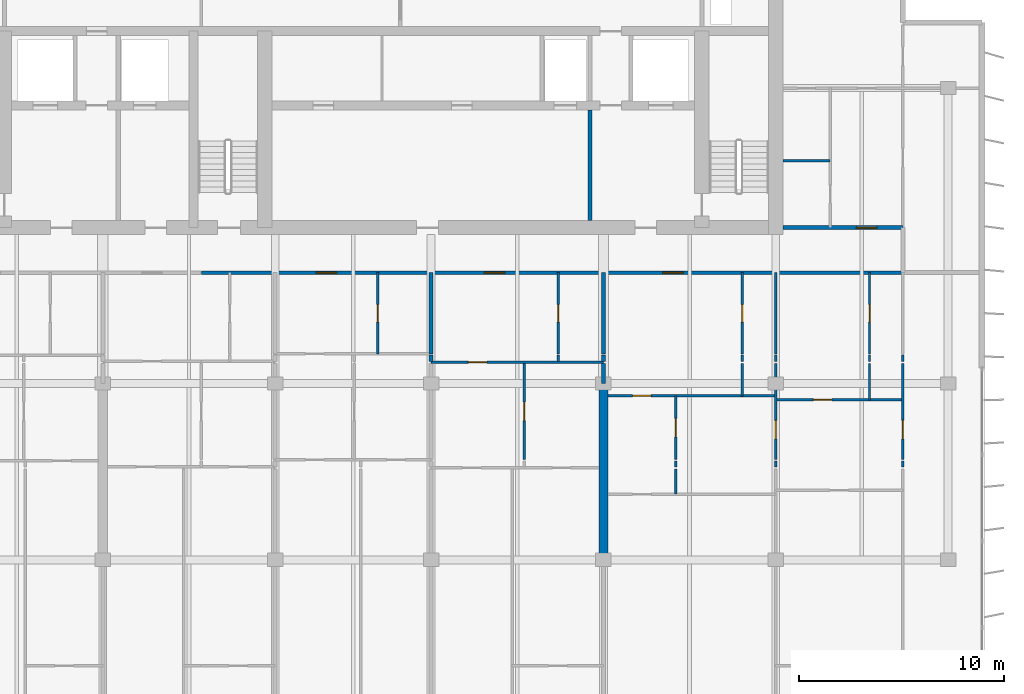
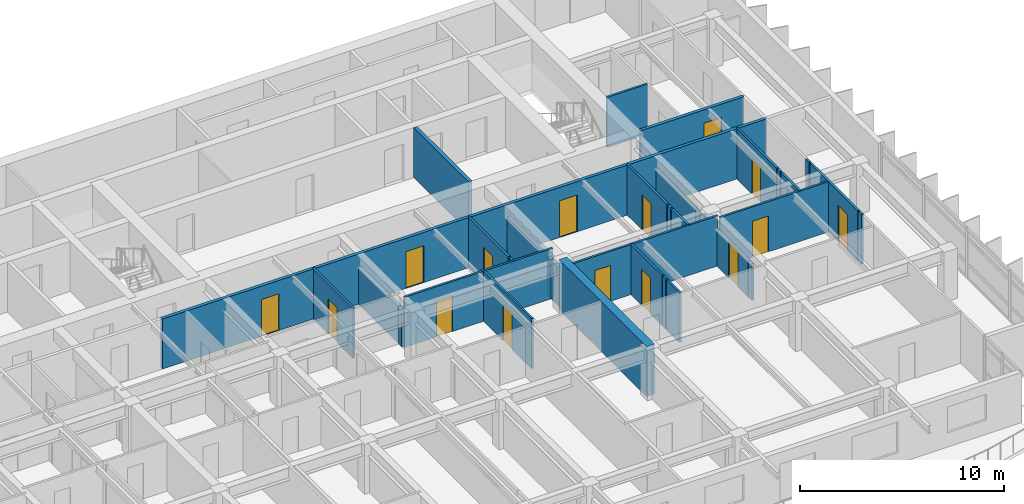
# One storey, part 9 of 16: 33 walls, 15 doors, 15 openings.
"""IFC4 building model written with IfcOpenShell, lengths in metres."""

from ifc_helpers import new_model, si_unit, direction, frame, frame_2d, origin, place, context, subcontext, project, spatial, rectangle, extrude, material, layer, layer_set, type_object, element, fill, save


model = new_model("IFC4")

# Units and contexts
model_context = context("Model", 3, precision=1e-05, world=origin(), true_north=direction((0.0, 1.0)))
body_context = subcontext(model_context, "Body", "Model", "MODEL_VIEW")
ifc_project = project(units=[si_unit("LENGTHUNIT", "METRE"), si_unit("AREAUNIT", "SQUARE_METRE"), si_unit("VOLUMEUNIT", "CUBIC_METRE"), si_unit("PLANEANGLEUNIT", "RADIAN"), si_unit("MASSUNIT", "GRAM", prefix="KILO")], contexts=[model_context])

# Site, building, storey
site_placement = place(None, origin())
site = spatial("IfcSite", under=ifc_project, at=site_placement, CompositionType="ELEMENT")
building_placement = place(site_placement, origin())
building = spatial("IfcBuilding", under=site, at=building_placement, Name="Caelmar Bay Residences", CompositionType="ELEMENT")
storey_placement = place(building_placement, frame((0.0, 0.0, 266.10009765625)))
storey = spatial("IfcBuildingStorey", under=building, at=storey_placement, Name="L75", CompositionType="ELEMENT", Elevation=266.10009765625)

# Wall
ifc_material_1 = material(Name="Concrete f'c 55 MPa (8,000 psi)", Category="concrete")
ifc_layer_1 = layer(ifc_material_1, 0.449951171875)
ifc_layer_set_1 = layer_set([ifc_layer_1], Name="Concrete f'c 55 MPa (8,000 psi)")
wall_type_1 = type_object("IfcWallType", Name="SW-XSLB-450", PredefinedType="SHEAR", material=ifc_layer_set_1)
wall_1_placement = place(storey_placement, frame((51.10009765625, 20.800048828125, 0.0), z_axis=(0.0, 0.0, 1.0), x_axis=(0.0, 1.0, 0.0)))
element("IfcWall", 1, at=wall_1_placement, inside=storey, type_object=wall_type_1, Name="L75 Transverse Cross-Slab Shear Wall E8", PredefinedType="SHEAR", context=body_context, shape_type="SweptSolid", body=[
    extrude(rectangle(XDim=8.599853515625, YDim=0.449951171875, at=frame_2d((4.2998046875, 0.0))), origin(), (0.0, 0.0, 1.0), 3.0),
])

# Wall, openings, doors
ifc_material_2 = material(Name="Double-stud acoustic fire-rated gypsum partition 180 mm")
ifc_layer_2 = layer(ifc_material_2, 0.179931640625)
ifc_layer_set_2 = layer_set([ifc_layer_2], Name="Double-stud acoustic fire-rated gypsum partition 180 mm")
wall_type_2 = type_object("IfcWallType", Name="W-COR-200", PredefinedType="PARTITIONING", material=ifc_layer_set_2)
wall_2_placement = place(storey_placement, frame((31.5, 34.800048828125, 0.0), z_axis=(0.0, 0.0, 1.0), x_axis=(1.0, 0.0, 0.0)))
wall_2 = element("IfcWall", 2, at=wall_2_placement, inside=storey, type_object=wall_type_2, Name="L75 Partition Wall H130", PredefinedType="PARTITIONING", context=body_context, shape_type="SweptSolid", body=[
    extrude(rectangle(XDim=34.199951171875, YDim=0.179931640625, at=frame_2d((17.10009765625, 0.0))), origin(), (0.0, 0.0, 1.0), 3.0),
])
opening_1_placement = place(wall_2_placement, frame((5.599609375, 0.0, 0.0)))
opening_1 = element("IfcOpeningElement", 3, at=opening_1_placement, cuts=wall_2, Name="Opening D-L75-142", PredefinedType="OPENING", context=body_context, shape_type="SweptSolid", body=[
    extrude(rectangle(XDim=1.0, YDim=2.199951171875, at=frame_2d((0.5, 1.10009765625))), frame((0.0, 0.099853515625, 0.0), z_axis=(0.0, -1.0, 0.0), x_axis=(1.0, 0.0, 0.0)), (0.0, 0.0, 1.0), 0.199951171875),
])
opening_2_placement = place(wall_2_placement, frame((13.799072265625, 0.0, 0.0)))
opening_2 = element("IfcOpeningElement", 4, at=opening_2_placement, cuts=wall_2, Name="Opening D-L75-148", PredefinedType="OPENING", context=body_context, shape_type="SweptSolid", body=[
    extrude(rectangle(XDim=1.0, YDim=2.199951171875, at=frame_2d((0.5, 1.10009765625))), frame((0.0, 0.099853515625, 0.0), z_axis=(0.0, -1.0, 0.0), x_axis=(1.0, 0.0, 0.0)), (0.0, 0.0, 1.0), 0.199951171875),
])
opening_3_placement = place(wall_2_placement, frame((22.4833984375, 0.0, 0.0)))
opening_3 = element("IfcOpeningElement", 5, at=opening_3_placement, cuts=wall_2, Name="Opening D-L75-155", PredefinedType="OPENING", context=body_context, shape_type="SweptSolid", body=[
    extrude(rectangle(XDim=1.0, YDim=2.199951171875, at=frame_2d((0.5, 1.10009765625))), frame((0.0, 0.099853515625, 0.0), z_axis=(0.0, -1.0, 0.0), x_axis=(1.0, 0.0, 0.0)), (0.0, 0.0, 1.0), 0.199951171875),
])
ifc_material_3 = material(Name="Fire-rated steel and walnut architectural door assembly", Category="steel")
ifc_layer_3 = layer(ifc_material_3, 0.050048828125)
ifc_layer_set_3 = layer_set([ifc_layer_3], Name="Fire-rated steel and walnut architectural door assembly")
door_type_1 = type_object("IfcDoorType", Name="D-UNIT-1000", OperationType="NOTDEFINED", PredefinedType="DOOR", material=ifc_layer_set_3)
door_1_placement = place(opening_1_placement, origin())
door_1 = element("IfcDoor", 6, at=door_1_placement, inside=storey, type_object=door_type_1, Name="L75 Residence 04 Apartment Hall Door", OperationType="SINGLE_SWING_RIGHT", OverallHeight=2.199951171875, OverallWidth=1.0, PredefinedType="DOOR", context=body_context, shape_type="SweptSolid", body=[
    extrude(rectangle(XDim=1.0, YDim=2.199951171875, at=frame_2d((0.5, 1.10009765625))), frame((0.0, 0.02490234375, 0.0), z_axis=(0.0, -1.0, 0.0), x_axis=(1.0, 0.0, 0.0)), (0.0, 0.0, 1.0), 0.050048828125),
])
fill(opening_1, door_1)
door_2_placement = place(opening_2_placement, origin())
door_2 = element("IfcDoor", 7, at=door_2_placement, inside=storey, type_object=door_type_1, Name="L75 Residence 05 Apartment Hall Door", OperationType="SINGLE_SWING_RIGHT", OverallHeight=2.199951171875, OverallWidth=1.0, PredefinedType="DOOR", context=body_context, shape_type="SweptSolid", body=[
    extrude(rectangle(XDim=1.0, YDim=2.199951171875, at=frame_2d((0.5, 1.10009765625))), frame((0.0, 0.02490234375, 0.0), z_axis=(0.0, -1.0, 0.0), x_axis=(1.0, 0.0, 0.0)), (0.0, 0.0, 1.0), 0.050048828125),
])
fill(opening_2, door_2)
door_3_placement = place(opening_3_placement, origin())
door_3 = element("IfcDoor", 8, at=door_3_placement, inside=storey, type_object=door_type_1, Name="L75 Residence 06 Apartment Hall Door", OperationType="SINGLE_SWING_LEFT", OverallHeight=2.199951171875, OverallWidth=1.0, PredefinedType="DOOR", context=body_context, shape_type="SweptSolid", body=[
    extrude(rectangle(XDim=1.0, YDim=2.199951171875, at=frame_2d((0.5, 1.10009765625))), frame((0.0, 0.02490234375, 0.0), z_axis=(0.0, -1.0, 0.0), x_axis=(1.0, 0.0, 0.0)), (0.0, 0.0, 1.0), 0.050048828125),
])
fill(opening_3, door_3)

# Wall, opening, door
wall_3_placement = place(storey_placement, frame((59.85498046875, 37.0, 0.0), z_axis=(0.0, 0.0, 1.0), x_axis=(1.0, 0.0, 0.0)))
wall_3 = element("IfcWall", 9, at=wall_3_placement, inside=storey, type_object=wall_type_2, Name="L75 Partition Wall H134", PredefinedType="PARTITIONING", context=body_context, shape_type="SweptSolid", body=[
    extrude(rectangle(XDim=5.844970703125, YDim=0.179931640625, at=frame_2d((2.92236328125, 0.0))), origin(), (0.0, 0.0, 1.0), 3.0),
])
opening_4_placement = place(wall_3_placement, frame((3.570068359375, 0.0, 0.0)))
opening_4 = element("IfcOpeningElement", 10, at=opening_4_placement, cuts=wall_3, Name="Opening D-L75-173", PredefinedType="OPENING", context=body_context, shape_type="SweptSolid", body=[
    extrude(rectangle(XDim=1.0, YDim=2.199951171875, at=frame_2d((0.5, 1.10009765625))), frame((0.0, 0.099853515625, 0.0), z_axis=(0.0, -1.0, 0.0), x_axis=(1.0, 0.0, 0.0)), (0.0, 0.0, 1.0), 0.199951171875),
])
door_4_placement = place(opening_4_placement, origin())
door_4 = element("IfcDoor", 11, at=door_4_placement, inside=storey, type_object=door_type_1, Name="L75 Residence EA Kitchen Door", OperationType="SINGLE_SWING_LEFT", OverallHeight=2.199951171875, OverallWidth=1.0, PredefinedType="DOOR", context=body_context, shape_type="SweptSolid", body=[
    extrude(rectangle(XDim=1.0, YDim=2.199951171875, at=frame_2d((0.5, 1.10009765625))), frame((0.0, 0.02490234375, 0.0), z_axis=(0.0, -1.0, 0.0), x_axis=(1.0, 0.0, 0.0)), (0.0, 0.0, 1.0), 0.050048828125),
])
fill(opening_4, door_4)

# Wall
ifc_material_4 = material(Name="Fire-rated masonry and gypsum shaftliner assembly 200 mm", Category="masonry")
ifc_layer_4 = layer(ifc_material_4, 0.199951171875)
ifc_layer_set_4 = layer_set([ifc_layer_4], Name="Fire-rated masonry and gypsum shaftliner assembly 200 mm")
wall_type_3 = type_object("IfcWallType", Name="W-FSAE-200", PredefinedType="PARTITIONING", material=ifc_layer_set_4)
wall_4_placement = place(storey_placement, frame((50.449951171875, 37.344970703125, 0.0), z_axis=(0.0, 0.0, 1.0), x_axis=(0.0, 1.0, 0.0)))
element("IfcWall", 12, at=wall_4_placement, inside=storey, type_object=wall_type_3, Name="L75 Partition Wall V071", PredefinedType="PARTITIONING", context=body_context, shape_type="SweptSolid", body=[
    extrude(rectangle(XDim=5.385009765625, YDim=0.199951171875, at=frame_2d((2.6923828125, 0.0))), origin(), (0.0, 0.0, 1.0), 3.0),
])

# Wall, opening, door
ifc_material_5 = material(Name="Acoustic metal-stud gypsum partition 120 mm")
ifc_layer_5 = layer(ifc_material_5, 0.1201171875)
ifc_layer_set_5 = layer_set([ifc_layer_5], Name="Acoustic metal-stud gypsum partition 120 mm")
wall_type_4 = type_object("IfcWallType", Name="W-PRT-120", PredefinedType="PARTITIONING", material=ifc_layer_set_5)
wall_5_placement = place(storey_placement, frame((40.09912109375, 30.840087890625, 0.0), z_axis=(0.0, 0.0, 1.0), x_axis=(0.0, 1.0, 0.0)))
wall_5 = element("IfcWall", 13, at=wall_5_placement, inside=storey, type_object=wall_type_4, Name="L75 Partition Wall V054", PredefinedType="PARTITIONING", context=body_context, shape_type="SweptSolid", body=[
    extrude(rectangle(XDim=3.9599609375, YDim=0.1201171875, at=frame_2d((1.97998046875, 0.0))), origin(), (0.0, 0.0, 1.0), 3.0),
])
opening_5_placement = place(wall_5_placement, frame((1.554931640625, 0.0, 0.0)))
opening_5 = element("IfcOpeningElement", 14, at=opening_5_placement, cuts=wall_5, Name="Opening D-L75-143", PredefinedType="OPENING", context=body_context, shape_type="SweptSolid", body=[
    extrude(rectangle(XDim=0.85009765625, YDim=2.10009765625, at=frame_2d((0.425048828125, 1.050048828125))), frame((0.0, 0.070068359375, 0.0), z_axis=(0.0, -1.0, 0.0), x_axis=(1.0, 0.0, 0.0)), (0.0, 0.0, 1.0), 0.14013671875),
])
ifc_material_6 = material(Name="Solid walnut timber interior door leaf and frame", Category="wood")
ifc_layer_6 = layer(ifc_material_6, 0.050048828125)
ifc_layer_set_6 = layer_set([ifc_layer_6], Name="Solid walnut timber interior door leaf and frame")
door_type_2 = type_object("IfcDoorType", Name="D-BATH-850", OperationType="NOTDEFINED", PredefinedType="DOOR", material=ifc_layer_set_6)
door_5_placement = place(opening_5_placement, origin())
door_5 = element("IfcDoor", 15, at=door_5_placement, inside=storey, type_object=door_type_2, Name="L75 Residence 04 Bathroom Door", OperationType="SINGLE_SWING_LEFT", OverallHeight=2.10009765625, OverallWidth=0.85009765625, PredefinedType="DOOR", context=body_context, shape_type="SweptSolid", body=[
    extrude(rectangle(XDim=0.85009765625, YDim=2.10009765625, at=frame_2d((0.425048828125, 1.050048828125))), frame((0.0, 0.02490234375, 0.0), z_axis=(0.0, -1.0, 0.0), x_axis=(1.0, 0.0, 0.0)), (0.0, 0.0, 1.0), 0.050048828125),
])
fill(opening_5, door_5)

wall_6_placement = place(storey_placement, frame((47.236083984375, 25.68994140625, 0.0), z_axis=(0.0, 0.0, 1.0), x_axis=(0.0, 1.0, 0.0)))
wall_6 = element("IfcWall", 16, at=wall_6_placement, inside=storey, type_object=wall_type_4, Name="L75 Partition Wall V067", PredefinedType="PARTITIONING", context=body_context, shape_type="SweptSolid", body=[
    extrude(rectangle(XDim=4.68994140625, YDim=0.1201171875, at=frame_2d((2.344970703125, 0.0))), origin(), (0.0, 0.0, 1.0), 3.0),
])
opening_6_placement = place(wall_6_placement, frame((1.89501953125, 0.0, 0.0)))
opening_6 = element("IfcOpeningElement", 17, at=opening_6_placement, cuts=wall_6, Name="Opening D-L75-151", PredefinedType="OPENING", context=body_context, shape_type="SweptSolid", body=[
    extrude(rectangle(XDim=0.89990234375, YDim=2.14990234375, at=frame_2d((0.449951171875, 1.074951171875))), frame((0.0, 0.070068359375, 0.0), z_axis=(0.0, -1.0, 0.0), x_axis=(1.0, 0.0, 0.0)), (0.0, 0.0, 1.0), 0.14013671875),
])
ifc_layer_7 = layer(ifc_material_6, 0.050048828125)
ifc_layer_set_7 = layer_set([ifc_layer_7], Name="Solid walnut timber interior door leaf and frame")
door_type_3 = type_object("IfcDoorType", Name="D-ROOM-900", OperationType="NOTDEFINED", PredefinedType="DOOR", material=ifc_layer_set_7)
door_6_placement = place(opening_6_placement, origin())
door_6 = element("IfcDoor", 18, at=door_6_placement, inside=storey, type_object=door_type_3, Name="L75 Residence 05 Private Reception Salon Door", OperationType="SINGLE_SWING_LEFT", OverallHeight=2.14990234375, OverallWidth=0.89990234375, PredefinedType="DOOR", context=body_context, shape_type="SweptSolid", body=[
    extrude(rectangle(XDim=0.89990234375, YDim=2.14990234375, at=frame_2d((0.449951171875, 1.074951171875))), frame((0.0, 0.02490234375, 0.0), z_axis=(0.0, -1.0, 0.0), x_axis=(1.0, 0.0, 0.0)), (0.0, 0.0, 1.0), 0.050048828125),
])
fill(opening_6, door_6)

# Wall
wall_7_placement = place(storey_placement, frame((48.89794921875, 30.47998046875, 0.0), z_axis=(0.0, 0.0, 1.0), x_axis=(0.0, 1.0, 0.0)))
element("IfcWall", 19, at=wall_7_placement, inside=storey, type_object=wall_type_4, Name="L75 Partition Wall V069", PredefinedType="PARTITIONING", context=body_context, shape_type="SweptSolid", body=[
    extrude(rectangle(XDim=0.300048828125, YDim=0.1201171875, at=frame_2d((0.14990234375, 0.0))), origin(), (0.0, 0.0, 1.0), 3.0),
])

# Wall, opening, door
wall_8_placement = place(storey_placement, frame((48.89794921875, 30.840087890625, 0.0), z_axis=(0.0, 0.0, 1.0), x_axis=(0.0, 1.0, 0.0)))
wall_8 = element("IfcWall", 20, at=wall_8_placement, inside=storey, type_object=wall_type_4, Name="L75 Partition Wall V070", PredefinedType="PARTITIONING", context=body_context, shape_type="SweptSolid", body=[
    extrude(rectangle(XDim=3.9599609375, YDim=0.1201171875, at=frame_2d((1.97998046875, 0.0))), origin(), (0.0, 0.0, 1.0), 3.0),
])
opening_7_placement = place(wall_8_placement, frame((1.554931640625, 0.0, 0.0)))
opening_7 = element("IfcOpeningElement", 21, at=opening_7_placement, cuts=wall_8, Name="Opening D-L75-149", PredefinedType="OPENING", context=body_context, shape_type="SweptSolid", body=[
    extrude(rectangle(XDim=0.85009765625, YDim=2.10009765625, at=frame_2d((0.425048828125, 1.050048828125))), frame((0.0, 0.070068359375, 0.0), z_axis=(0.0, -1.0, 0.0), x_axis=(1.0, 0.0, 0.0)), (0.0, 0.0, 1.0), 0.14013671875),
])
door_7_placement = place(opening_7_placement, origin())
door_7 = element("IfcDoor", 22, at=door_7_placement, inside=storey, type_object=door_type_2, Name="L75 Residence 05 Bathroom Door", OperationType="SINGLE_SWING_LEFT", OverallHeight=2.10009765625, OverallWidth=0.85009765625, PredefinedType="DOOR", context=body_context, shape_type="SweptSolid", body=[
    extrude(rectangle(XDim=0.85009765625, YDim=2.10009765625, at=frame_2d((0.425048828125, 1.050048828125))), frame((0.0, 0.02490234375, 0.0), z_axis=(0.0, -1.0, 0.0), x_axis=(1.0, 0.0, 0.0)), (0.0, 0.0, 1.0), 0.050048828125),
])
fill(opening_7, door_7)

# Walls
wall_9_placement = place(storey_placement, frame((54.6279296875, 24.0, 0.0), z_axis=(0.0, 0.0, 1.0), x_axis=(0.0, 1.0, 0.0)))
element("IfcWall", 23, at=wall_9_placement, inside=storey, type_object=wall_type_4, Name="L75 Partition Wall V080", PredefinedType="PARTITIONING", context=body_context, shape_type="SweptSolid", body=[
    extrude(rectangle(XDim=1.22998046875, YDim=0.1201171875, at=frame_2d((0.614990234375, 0.0))), origin(), (0.0, 0.0, 1.0), 3.0),
])
wall_10_placement = place(storey_placement, frame((54.6279296875, 25.330078125, 0.0), z_axis=(0.0, 0.0, 1.0), x_axis=(0.0, 1.0, 0.0)))
element("IfcWall", 24, at=wall_10_placement, inside=storey, type_object=wall_type_4, Name="L75 Partition Wall V081", PredefinedType="PARTITIONING", context=body_context, shape_type="SweptSolid", body=[
    extrude(rectangle(XDim=0.2998046875, YDim=0.1201171875, at=frame_2d((0.14990234375, 0.0))), origin(), (0.0, 0.0, 1.0), 3.0),
])

# Wall, opening, door
wall_11_placement = place(storey_placement, frame((54.6279296875, 25.68994140625, 0.0), z_axis=(0.0, 0.0, 1.0), x_axis=(0.0, 1.0, 0.0)))
wall_11 = element("IfcWall", 25, at=wall_11_placement, inside=storey, type_object=wall_type_4, Name="L75 Partition Wall V082", PredefinedType="PARTITIONING", context=body_context, shape_type="SweptSolid", body=[
    extrude(rectangle(XDim=3.110107421875, YDim=0.1201171875, at=frame_2d((1.55517578125, 0.0))), origin(), (0.0, 0.0, 1.0), 3.0),
])
opening_8_placement = place(wall_11_placement, frame((1.10498046875, 0.0, 0.0)))
opening_8 = element("IfcOpeningElement", 26, at=opening_8_placement, cuts=wall_11, Name="Opening D-L75-158", PredefinedType="OPENING", context=body_context, shape_type="SweptSolid", body=[
    extrude(rectangle(XDim=0.89990234375, YDim=2.14990234375, at=frame_2d((0.449951171875, 1.074951171875))), frame((0.0, 0.070068359375, 0.0), z_axis=(0.0, -1.0, 0.0), x_axis=(1.0, 0.0, 0.0)), (0.0, 0.0, 1.0), 0.14013671875),
])
door_8_placement = place(opening_8_placement, origin())
door_8 = element("IfcDoor", 27, at=door_8_placement, inside=storey, type_object=door_type_3, Name="L75 Residence 06 Kitchen Door", OperationType="SINGLE_SWING_RIGHT", OverallHeight=2.14990234375, OverallWidth=0.89990234375, PredefinedType="DOOR", context=body_context, shape_type="SweptSolid", body=[
    extrude(rectangle(XDim=0.89990234375, YDim=2.14990234375, at=frame_2d((0.449951171875, 1.074951171875))), frame((0.0, 0.02490234375, 0.0), z_axis=(0.0, -1.0, 0.0), x_axis=(1.0, 0.0, 0.0)), (0.0, 0.0, 1.0), 0.050048828125),
])
fill(opening_8, door_8)

# Walls
wall_12_placement = place(storey_placement, frame((57.866943359375, 28.800048828125, 0.0), z_axis=(0.0, 0.0, 1.0), x_axis=(0.0, 1.0, 0.0)))
element("IfcWall", 28, at=wall_12_placement, inside=storey, type_object=wall_type_4, Name="L75 Partition Wall V084", PredefinedType="PARTITIONING", context=body_context, shape_type="SweptSolid", body=[
    extrude(rectangle(XDim=1.579833984375, YDim=0.1201171875, at=frame_2d((0.7900390625, 0.0))), origin(), (0.0, 0.0, 1.0), 3.0),
])
wall_13_placement = place(storey_placement, frame((57.866943359375, 30.47998046875, 0.0), z_axis=(0.0, 0.0, 1.0), x_axis=(0.0, 1.0, 0.0)))
element("IfcWall", 29, at=wall_13_placement, inside=storey, type_object=wall_type_4, Name="L75 Partition Wall V085", PredefinedType="PARTITIONING", context=body_context, shape_type="SweptSolid", body=[
    extrude(rectangle(XDim=0.300048828125, YDim=0.1201171875, at=frame_2d((0.14990234375, 0.0))), origin(), (0.0, 0.0, 1.0), 3.0),
])

# Wall, opening, door
wall_14_placement = place(storey_placement, frame((57.866943359375, 30.840087890625, 0.0), z_axis=(0.0, 0.0, 1.0), x_axis=(0.0, 1.0, 0.0)))
wall_14 = element("IfcWall", 30, at=wall_14_placement, inside=storey, type_object=wall_type_4, Name="L75 Partition Wall V086", PredefinedType="PARTITIONING", context=body_context, shape_type="SweptSolid", body=[
    extrude(rectangle(XDim=3.9599609375, YDim=0.1201171875, at=frame_2d((1.97998046875, 0.0))), origin(), (0.0, 0.0, 1.0), 3.0),
])
opening_9_placement = place(wall_14_placement, frame((1.554931640625, 0.0, 0.0)))
opening_9 = element("IfcOpeningElement", 31, at=opening_9_placement, cuts=wall_14, Name="Opening D-L75-156", PredefinedType="OPENING", context=body_context, shape_type="SweptSolid", body=[
    extrude(rectangle(XDim=0.85009765625, YDim=2.10009765625, at=frame_2d((0.425048828125, 1.050048828125))), frame((0.0, 0.070068359375, 0.0), z_axis=(0.0, -1.0, 0.0), x_axis=(1.0, 0.0, 0.0)), (0.0, 0.0, 1.0), 0.14013671875),
])
door_9_placement = place(opening_9_placement, origin())
door_9 = element("IfcDoor", 32, at=door_9_placement, inside=storey, type_object=door_type_2, Name="L75 Residence 06 Guest Bathroom Door", OperationType="SINGLE_SWING_RIGHT", OverallHeight=2.10009765625, OverallWidth=0.85009765625, PredefinedType="DOOR", context=body_context, shape_type="SweptSolid", body=[
    extrude(rectangle(XDim=0.85009765625, YDim=2.10009765625, at=frame_2d((0.425048828125, 1.050048828125))), frame((0.0, 0.02490234375, 0.0), z_axis=(0.0, -1.0, 0.0), x_axis=(1.0, 0.0, 0.0)), (0.0, 0.0, 1.0), 0.050048828125),
])
fill(opening_9, door_9)

# Wall
wall_15_placement = place(storey_placement, frame((59.5, 25.330078125, 0.0), z_axis=(0.0, 0.0, 1.0), x_axis=(0.0, 1.0, 0.0)))
element("IfcWall", 33, at=wall_15_placement, inside=storey, type_object=wall_type_4, Name="L75 Partition Wall V089", PredefinedType="PARTITIONING", context=body_context, shape_type="SweptSolid", body=[
    extrude(rectangle(XDim=0.2998046875, YDim=0.1201171875, at=frame_2d((0.14990234375, 0.0))), origin(), (0.0, 0.0, 1.0), 2.212890625),
])

# Wall, opening, door
wall_16_placement = place(storey_placement, frame((59.5, 25.68994140625, 0.0), z_axis=(0.0, 0.0, 1.0), x_axis=(0.0, 1.0, 0.0)))
wall_16 = element("IfcWall", 34, at=wall_16_placement, inside=storey, type_object=wall_type_4, Name="L75 Partition Wall V090", PredefinedType="PARTITIONING", context=body_context, shape_type="SweptSolid", body=[
    extrude(rectangle(XDim=4.68994140625, YDim=0.1201171875, at=frame_2d((2.344970703125, 0.0))), origin(), (0.0, 0.0, 1.0), 2.212890625),
])
opening_10_placement = place(wall_16_placement, frame((1.0048828125, 0.0, 0.0)))
opening_10 = element("IfcOpeningElement", 35, at=opening_10_placement, cuts=wall_16, Name="Opening D-L75-160", PredefinedType="OPENING", context=body_context, shape_type="SweptSolid", body=[
    extrude(rectangle(XDim=0.89990234375, YDim=2.14990234375, at=frame_2d((0.449951171875, 1.074951171875))), frame((0.0, 0.070068359375, 0.0), z_axis=(0.0, -1.0, 0.0), x_axis=(1.0, 0.0, 0.0)), (0.0, 0.0, 1.0), 0.14013671875),
])
door_10_placement = place(opening_10_placement, origin())
door_10 = element("IfcDoor", 36, at=door_10_placement, inside=storey, type_object=door_type_3, Name="L75 Residence 06 Reception Lounge 1 Door", OperationType="SINGLE_SWING_RIGHT", OverallHeight=2.14990234375, OverallWidth=0.89990234375, PredefinedType="DOOR", context=body_context, shape_type="SweptSolid", body=[
    extrude(rectangle(XDim=0.89990234375, YDim=2.14990234375, at=frame_2d((0.449951171875, 1.074951171875))), frame((0.0, 0.02490234375, 0.0), z_axis=(0.0, -1.0, 0.0), x_axis=(1.0, 0.0, 0.0)), (0.0, 0.0, 1.0), 0.050048828125),
])
fill(opening_10, door_10)

# Walls
wall_17_placement = place(storey_placement, frame((59.5, 30.47998046875, 0.0), z_axis=(0.0, 0.0, 1.0), x_axis=(0.0, 1.0, 0.0)))
element("IfcWall", 37, at=wall_17_placement, inside=storey, type_object=wall_type_4, Name="L75 Partition Wall V091", PredefinedType="PARTITIONING", context=body_context, shape_type="SweptSolid", body=[
    extrude(rectangle(XDim=0.300048828125, YDim=0.1201171875, at=frame_2d((0.14990234375, 0.0))), origin(), (0.0, 0.0, 1.0), 2.212890625),
])
wall_18_placement = place(storey_placement, frame((59.5, 30.840087890625, 0.0), z_axis=(0.0, 0.0, 1.0), x_axis=(0.0, 1.0, 0.0)))
element("IfcWall", 38, at=wall_18_placement, inside=storey, type_object=wall_type_4, Name="L75 Partition Wall V092", PredefinedType="PARTITIONING", context=body_context, shape_type="SweptSolid", body=[
    extrude(rectangle(XDim=3.9599609375, YDim=0.1201171875, at=frame_2d((1.97998046875, 0.0))), origin(), (0.0, 0.0, 1.0), 2.212890625),
])
wall_19_placement = place(storey_placement, frame((64.071044921875, 28.60009765625, 0.0), z_axis=(0.0, 0.0, 1.0), x_axis=(0.0, 1.0, 0.0)))
element("IfcWall", 39, at=wall_19_placement, inside=storey, type_object=wall_type_4, Name="L75 Partition Wall V094", PredefinedType="PARTITIONING", context=body_context, shape_type="SweptSolid", body=[
    extrude(rectangle(XDim=1.77978515625, YDim=0.1201171875, at=frame_2d((0.889892578125, 0.0))), origin(), (0.0, 0.0, 1.0), 3.0),
])
wall_20_placement = place(storey_placement, frame((64.071044921875, 30.47998046875, 0.0), z_axis=(0.0, 0.0, 1.0), x_axis=(0.0, 1.0, 0.0)))
element("IfcWall", 40, at=wall_20_placement, inside=storey, type_object=wall_type_4, Name="L75 Partition Wall V095", PredefinedType="PARTITIONING", context=body_context, shape_type="SweptSolid", body=[
    extrude(rectangle(XDim=0.300048828125, YDim=0.1201171875, at=frame_2d((0.14990234375, 0.0))), origin(), (0.0, 0.0, 1.0), 3.0),
])

# Wall, opening, door
wall_21_placement = place(storey_placement, frame((64.071044921875, 30.840087890625, 0.0), z_axis=(0.0, 0.0, 1.0), x_axis=(0.0, 1.0, 0.0)))
wall_21 = element("IfcWall", 41, at=wall_21_placement, inside=storey, type_object=wall_type_4, Name="L75 Partition Wall V096", PredefinedType="PARTITIONING", context=body_context, shape_type="SweptSolid", body=[
    extrude(rectangle(XDim=3.9599609375, YDim=0.1201171875, at=frame_2d((1.97998046875, 0.0))), origin(), (0.0, 0.0, 1.0), 3.0),
])
opening_11_placement = place(wall_21_placement, frame((1.554931640625, 0.0, 0.0)))
opening_11 = element("IfcOpeningElement", 42, at=opening_11_placement, cuts=wall_21, Name="Opening D-L75-162", PredefinedType="OPENING", context=body_context, shape_type="SweptSolid", body=[
    extrude(rectangle(XDim=0.85009765625, YDim=2.10009765625, at=frame_2d((0.425048828125, 1.050048828125))), frame((0.0, 0.070068359375, 0.0), z_axis=(0.0, -1.0, 0.0), x_axis=(1.0, 0.0, 0.0)), (0.0, 0.0, 1.0), 0.14013671875),
])
door_11_placement = place(opening_11_placement, origin())
door_11 = element("IfcDoor", 43, at=door_11_placement, inside=storey, type_object=door_type_2, Name="L75 Residence 06 En-Suite Bathroom 1 Door", OperationType="SINGLE_SWING_RIGHT", OverallHeight=2.10009765625, OverallWidth=0.85009765625, PredefinedType="DOOR", context=body_context, shape_type="SweptSolid", body=[
    extrude(rectangle(XDim=0.85009765625, YDim=2.10009765625, at=frame_2d((0.425048828125, 1.050048828125))), frame((0.0, 0.02490234375, 0.0), z_axis=(0.0, -1.0, 0.0), x_axis=(1.0, 0.0, 0.0)), (0.0, 0.0, 1.0), 0.050048828125),
])
fill(opening_11, door_11)

# Wall
wall_22_placement = place(storey_placement, frame((65.699951171875, 25.330078125, 0.0), z_axis=(0.0, 0.0, 1.0), x_axis=(0.0, 1.0, 0.0)))
element("IfcWall", 44, at=wall_22_placement, inside=storey, type_object=wall_type_4, Name="L75 Partition Wall V098", PredefinedType="PARTITIONING", context=body_context, shape_type="SweptSolid", body=[
    extrude(rectangle(XDim=0.2998046875, YDim=0.1201171875, at=frame_2d((0.14990234375, 0.0))), origin(), (0.0, 0.0, 1.0), 3.0),
])

# Wall, opening, door
wall_23_placement = place(storey_placement, frame((65.699951171875, 25.68994140625, 0.0), z_axis=(0.0, 0.0, 1.0), x_axis=(0.0, 1.0, 0.0)))
wall_23 = element("IfcWall", 45, at=wall_23_placement, inside=storey, type_object=wall_type_4, Name="L75 Partition Wall V099", PredefinedType="PARTITIONING", context=body_context, shape_type="SweptSolid", body=[
    extrude(rectangle(XDim=4.68994140625, YDim=0.1201171875, at=frame_2d((2.344970703125, 0.0))), origin(), (0.0, 0.0, 1.0), 3.0),
])
opening_12_placement = place(wall_23_placement, frame((1.0048828125, 0.0, 0.0)))
opening_12 = element("IfcOpeningElement", 46, at=opening_12_placement, cuts=wall_23, Name="Opening D-L75-166", PredefinedType="OPENING", context=body_context, shape_type="SweptSolid", body=[
    extrude(rectangle(XDim=0.89990234375, YDim=2.14990234375, at=frame_2d((0.449951171875, 1.074951171875))), frame((0.0, 0.070068359375, 0.0), z_axis=(0.0, -1.0, 0.0), x_axis=(1.0, 0.0, 0.0)), (0.0, 0.0, 1.0), 0.14013671875),
])
door_12_placement = place(opening_12_placement, origin())
door_12 = element("IfcDoor", 47, at=door_12_placement, inside=storey, type_object=door_type_3, Name="L75 Residence 06 Penthouse East Salon Door", OperationType="SINGLE_SWING_RIGHT", OverallHeight=2.14990234375, OverallWidth=0.89990234375, PredefinedType="DOOR", context=body_context, shape_type="SweptSolid", body=[
    extrude(rectangle(XDim=0.89990234375, YDim=2.14990234375, at=frame_2d((0.449951171875, 1.074951171875))), frame((0.0, 0.02490234375, 0.0), z_axis=(0.0, -1.0, 0.0), x_axis=(1.0, 0.0, 0.0)), (0.0, 0.0, 1.0), 0.050048828125),
])
fill(opening_12, door_12)

# Wall
wall_24_placement = place(storey_placement, frame((65.699951171875, 30.47998046875, 0.0), z_axis=(0.0, 0.0, 1.0), x_axis=(0.0, 1.0, 0.0)))
element("IfcWall", 48, at=wall_24_placement, inside=storey, type_object=wall_type_4, Name="L75 Partition Wall V100", PredefinedType="PARTITIONING", context=body_context, shape_type="SweptSolid", body=[
    extrude(rectangle(XDim=0.300048828125, YDim=0.1201171875, at=frame_2d((0.14990234375, 0.0))), origin(), (0.0, 0.0, 1.0), 3.0),
])

# Wall, opening, door
wall_25_placement = place(storey_placement, frame((59.5, 28.60009765625, 0.0), z_axis=(0.0, 0.0, 1.0), x_axis=(1.0, 0.0, 0.0)))
wall_25 = element("IfcWall", 49, at=wall_25_placement, inside=storey, type_object=wall_type_4, Name="L75 Partition Wall H118", PredefinedType="PARTITIONING", context=body_context, shape_type="SweptSolid", body=[
    extrude(rectangle(XDim=6.199951171875, YDim=0.1201171875, at=frame_2d((3.10009765625, 0.0))), origin(), (0.0, 0.0, 1.0), 3.0),
])
opening_13_placement = place(wall_25_placement, frame((1.83544921875, 0.0, 0.0)))
opening_13 = element("IfcOpeningElement", 50, at=opening_13_placement, cuts=wall_25, Name="Opening D-L75-161", PredefinedType="OPENING", context=body_context, shape_type="SweptSolid", body=[
    extrude(rectangle(XDim=0.89990234375, YDim=2.14990234375, at=frame_2d((0.449951171875, 1.074951171875))), frame((0.0, 0.070068359375, 0.0), z_axis=(0.0, -1.0, 0.0), x_axis=(1.0, 0.0, 0.0)), (0.0, 0.0, 1.0), 0.14013671875),
])
door_13_placement = place(opening_13_placement, origin())
door_13 = element("IfcDoor", 51, at=door_13_placement, inside=storey, type_object=door_type_3, Name="L75 Residence 06 Private Reception Room 1 Door", OperationType="SINGLE_SWING_LEFT", OverallHeight=2.14990234375, OverallWidth=0.89990234375, PredefinedType="DOOR", context=body_context, shape_type="SweptSolid", body=[
    extrude(rectangle(XDim=0.89990234375, YDim=2.14990234375, at=frame_2d((0.449951171875, 1.074951171875))), frame((0.0, 0.02490234375, 0.0), z_axis=(0.0, -1.0, 0.0), x_axis=(1.0, 0.0, 0.0)), (0.0, 0.0, 1.0), 0.050048828125),
])
fill(opening_13, door_13)

wall_26_placement = place(storey_placement, frame((51.320068359375, 28.800048828125, 0.0), z_axis=(0.0, 0.0, 1.0), x_axis=(1.0, 0.0, 0.0)))
wall_26 = element("IfcWall", 52, at=wall_26_placement, inside=storey, type_object=wall_type_4, Name="L75 Partition Wall H119", PredefinedType="PARTITIONING", context=body_context, shape_type="SweptSolid", body=[
    extrude(rectangle(XDim=8.175048828125, YDim=0.1201171875, at=frame_2d((4.08740234375, 0.0))), origin(), (0.0, 0.0, 1.0), 3.0),
])
opening_14_placement = place(wall_26_placement, frame((1.2041015625, 0.0, 0.0)))
opening_14 = element("IfcOpeningElement", 53, at=opening_14_placement, cuts=wall_26, Name="Opening D-L75-157", PredefinedType="OPENING", context=body_context, shape_type="SweptSolid", body=[
    extrude(rectangle(XDim=0.89990234375, YDim=2.14990234375, at=frame_2d((0.449951171875, 1.074951171875))), frame((0.0, 0.070068359375, 0.0), z_axis=(0.0, -1.0, 0.0), x_axis=(1.0, 0.0, 0.0)), (0.0, 0.0, 1.0), 0.14013671875),
])
door_14_placement = place(opening_14_placement, origin())
door_14 = element("IfcDoor", 54, at=door_14_placement, inside=storey, type_object=door_type_3, Name="L75 Residence 06 Dining Room Door", OperationType="SINGLE_SWING_LEFT", OverallHeight=2.14990234375, OverallWidth=0.89990234375, PredefinedType="DOOR", context=body_context, shape_type="SweptSolid", body=[
    extrude(rectangle(XDim=0.89990234375, YDim=2.14990234375, at=frame_2d((0.449951171875, 1.074951171875))), frame((0.0, 0.02490234375, 0.0), z_axis=(0.0, -1.0, 0.0), x_axis=(1.0, 0.0, 0.0)), (0.0, 0.0, 1.0), 0.050048828125),
])
fill(opening_14, door_14)

wall_27_placement = place(storey_placement, frame((42.699951171875, 30.43994140625, 0.0), z_axis=(0.0, 0.0, 1.0), x_axis=(1.0, 0.0, 0.0)))
wall_27 = element("IfcWall", 55, at=wall_27_placement, inside=storey, type_object=wall_type_4, Name="L75 Partition Wall H122", PredefinedType="PARTITIONING", context=body_context, shape_type="SweptSolid", body=[
    extrude(rectangle(XDim=8.400146484375, YDim=0.1201171875, at=frame_2d((4.2001953125, 0.0))), origin(), (0.0, 0.0, 1.0), 3.0),
])
opening_15_placement = place(wall_27_placement, frame((1.818115234375, 0.0, 0.0)))
opening_15 = element("IfcOpeningElement", 56, at=opening_15_placement, cuts=wall_27, Name="Opening D-L75-150", PredefinedType="OPENING", context=body_context, shape_type="SweptSolid", body=[
    extrude(rectangle(XDim=0.89990234375, YDim=2.14990234375, at=frame_2d((0.449951171875, 1.074951171875))), frame((0.0, 0.070068359375, 0.0), z_axis=(0.0, -1.0, 0.0), x_axis=(1.0, 0.0, 0.0)), (0.0, 0.0, 1.0), 0.14013671875),
])
door_15_placement = place(opening_15_placement, origin())
door_15 = element("IfcDoor", 57, at=door_15_placement, inside=storey, type_object=door_type_3, Name="L75 Residence 05 Kitchen Door", OperationType="SINGLE_SWING_RIGHT", OverallHeight=2.14990234375, OverallWidth=0.89990234375, PredefinedType="DOOR", context=body_context, shape_type="SweptSolid", body=[
    extrude(rectangle(XDim=0.89990234375, YDim=2.14990234375, at=frame_2d((0.449951171875, 1.074951171875))), frame((0.0, 0.02490234375, 0.0), z_axis=(0.0, -1.0, 0.0), x_axis=(1.0, 0.0, 0.0)), (0.0, 0.0, 1.0), 0.050048828125),
])
fill(opening_15, door_15)

# Walls
wall_28_placement = place(storey_placement, frame((59.844970703125, 40.263916015625, 0.0), z_axis=(0.0, 0.0, 1.0), x_axis=(1.0, 0.0, 0.0)))
element("IfcWall", 58, at=wall_28_placement, inside=storey, type_object=wall_type_4, Name="L75 Partition Wall H136", PredefinedType="PARTITIONING", context=body_context, shape_type="SweptSolid", body=[
    extrude(rectangle(XDim=2.304931640625, YDim=0.1201171875, at=frame_2d((1.15234375, 0.0))), origin(), (0.0, 0.0, 1.0), 3.0),
])
ifc_material_7 = material(Name="Acoustic twin-stud fire-rated inter-tenancy partition 200 mm")
ifc_layer_8 = layer(ifc_material_7, 0.199951171875)
ifc_layer_set_8 = layer_set([ifc_layer_8], Name="Acoustic twin-stud fire-rated inter-tenancy partition 200 mm")
wall_type_5 = type_object("IfcWallType", Name="W-PTY-200", PredefinedType="PARTITIONING", material=ifc_layer_set_8)
wall_29_placement = place(storey_placement, frame((42.699951171875, 30.47998046875, 0.0), z_axis=(0.0, 0.0, 1.0), x_axis=(0.0, 1.0, 0.0)))
element("IfcWall", 59, at=wall_29_placement, inside=storey, type_object=wall_type_5, Name="L75 Partition Wall V061", PredefinedType="PARTITIONING", context=body_context, shape_type="SweptSolid", body=[
    extrude(rectangle(XDim=0.300048828125, YDim=0.199951171875, at=frame_2d((0.14990234375, 0.0))), origin(), (0.0, 0.0, 1.0), 2.212890625),
])
wall_30_placement = place(storey_placement, frame((42.699951171875, 30.840087890625, 0.0), z_axis=(0.0, 0.0, 1.0), x_axis=(0.0, 1.0, 0.0)))
element("IfcWall", 60, at=wall_30_placement, inside=storey, type_object=wall_type_5, Name="L75 Partition Wall V062", PredefinedType="PARTITIONING", context=body_context, shape_type="SweptSolid", body=[
    extrude(rectangle(XDim=3.9599609375, YDim=0.199951171875, at=frame_2d((1.97998046875, 0.0))), origin(), (0.0, 0.0, 1.0), 2.212890625),
])
wall_31_placement = place(storey_placement, frame((51.10009765625, 29.405029296875, 0.0), z_axis=(0.0, 0.0, 1.0), x_axis=(0.0, 1.0, 0.0)))
element("IfcWall", 61, at=wall_31_placement, inside=storey, type_object=wall_type_5, Name="L75 Partition Wall V076", PredefinedType="PARTITIONING", context=body_context, shape_type="SweptSolid", body=[
    extrude(rectangle(XDim=0.974853515625, YDim=0.199951171875, at=frame_2d((0.4873046875, 0.0))), origin(), (0.0, 0.0, 1.0), 2.284912109375),
])
wall_32_placement = place(storey_placement, frame((51.10009765625, 30.47998046875, 0.0), z_axis=(0.0, 0.0, 1.0), x_axis=(0.0, 1.0, 0.0)))
element("IfcWall", 62, at=wall_32_placement, inside=storey, type_object=wall_type_5, Name="L75 Partition Wall V077", PredefinedType="PARTITIONING", context=body_context, shape_type="SweptSolid", body=[
    extrude(rectangle(XDim=0.300048828125, YDim=0.199951171875, at=frame_2d((0.14990234375, 0.0))), origin(), (0.0, 0.0, 1.0), 2.284912109375),
])
wall_33_placement = place(storey_placement, frame((51.10009765625, 30.840087890625, 0.0), z_axis=(0.0, 0.0, 1.0), x_axis=(0.0, 1.0, 0.0)))
element("IfcWall", 63, at=wall_33_placement, inside=storey, type_object=wall_type_5, Name="L75 Partition Wall V078", PredefinedType="PARTITIONING", context=body_context, shape_type="SweptSolid", body=[
    extrude(rectangle(XDim=3.9599609375, YDim=0.199951171875, at=frame_2d((1.97998046875, 0.0))), origin(), (0.0, 0.0, 1.0), 2.284912109375),
])

save(model, "model.ifc")
